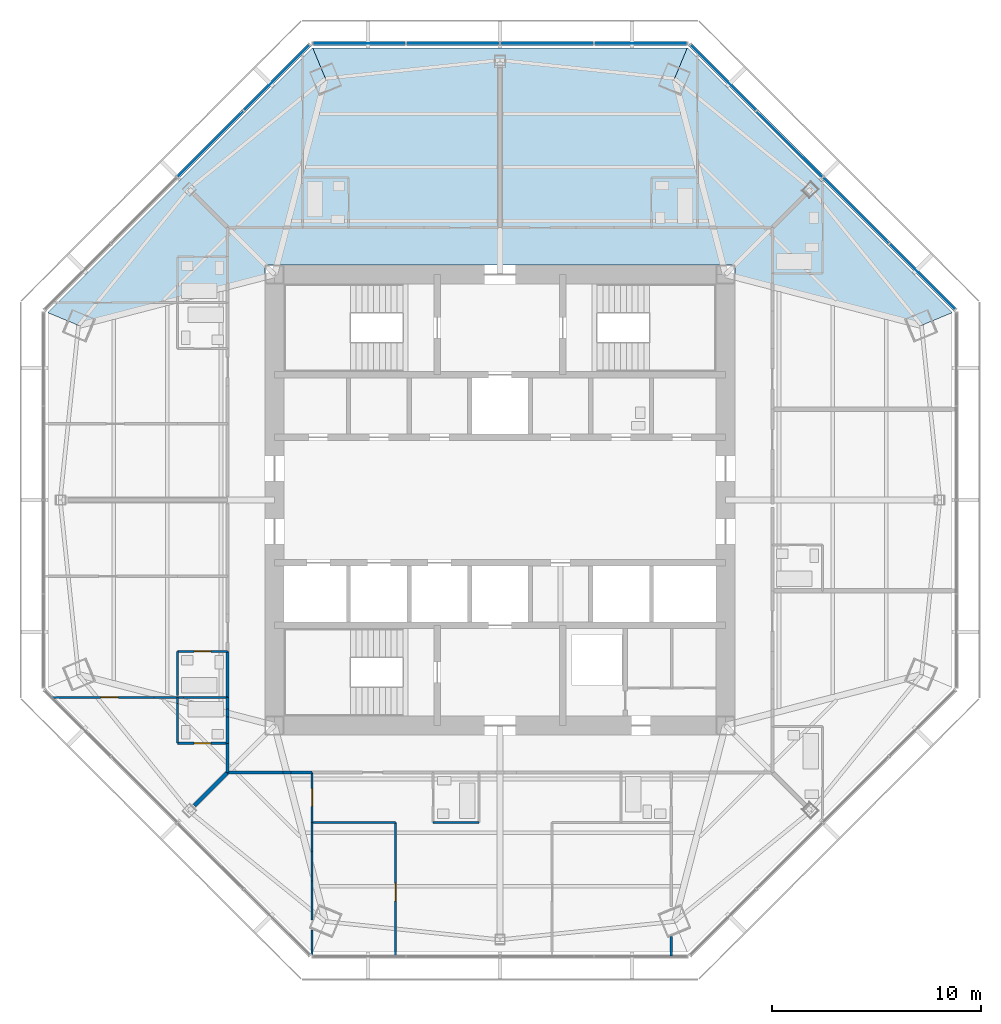
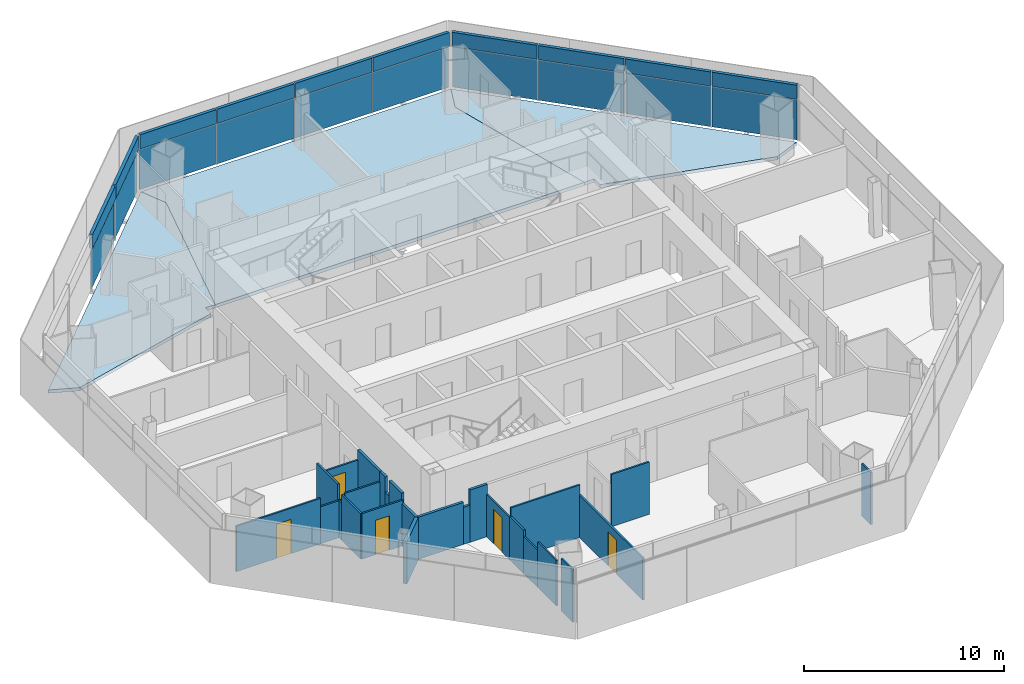
# One storey, part 8 of 16: 26 walls, 20 plates, 5 doors, 3 slabs, 5 openings, 3 elements without a shape of their own.
"""IFC4 building model written with IfcOpenShell, lengths in metres."""

from ifc_helpers import new_model, si_unit, direction, frame, frame_2d, origin, origin_2d, place, context, subcontext, project, spatial, polyline, rectangle, outline, extrude, source, transform, mapped, material, layer, layer_set, type_object, type_shapes, element, fill, aggregate, save


model = new_model("IFC4")

# Units and contexts
model_context = context("Model", 3, precision=1e-05, world=origin(), true_north=direction((0.0, 1.0)))
body_context = subcontext(model_context, "Body", "Model", "MODEL_VIEW")
ifc_project = project(units=[si_unit("LENGTHUNIT", "METRE"), si_unit("AREAUNIT", "SQUARE_METRE"), si_unit("VOLUMEUNIT", "CUBIC_METRE"), si_unit("PLANEANGLEUNIT", "RADIAN"), si_unit("MASSUNIT", "GRAM", prefix="KILO")], contexts=[model_context])

# Site, building, storey
site_placement = place(None, origin())
site = spatial("IfcSite", under=ifc_project, at=site_placement, CompositionType="ELEMENT")
building_placement = place(site_placement, origin())
building = spatial("IfcBuilding", under=site, at=building_placement, Name="Mashrafa Tower", CompositionType="ELEMENT")
storey_placement = place(building_placement, frame((0.0, 0.0, 217.60009765625)))
storey = spatial("IfcBuildingStorey", under=building, at=storey_placement, Name="L50", CompositionType="ELEMENT", Elevation=217.60009765625)

# Slabs
ifc_material_1 = material(Name="Concrete C35/45", Category="concrete")
ifc_layer_1 = layer(ifc_material_1, 0.199951171875)
ifc_layer_set_1 = layer_set([ifc_layer_1], Name="Floor slab 200")
slab_type = type_object("IfcSlabType", Name="Floor slab 200", PredefinedType="FLOOR", material=ifc_layer_set_1)
slab_1_placement = place(storey_placement, frame((0.0, 0.0, -0.2001953125)))
element("IfcSlab", 1, at=slab_1_placement, inside=storey, type_object=slab_type, Name="Floor slab L50 north-east bay", PredefinedType="FLOOR", context=body_context, shape_type="SweptSolid", body=[
    extrude(outline(polyline([(21.6591796875, 8.971435546875), (20.1865234375, 8.361572265625), (11.25, 10.68310546875), (11.25, 11.25), (10.68310546875, 11.25), (8.361572265625, 20.1865234375), (8.971435546875, 21.6591796875), (21.6591796875, 8.971435546875)])), origin(), (0.0, 0.0, 1.0), 0.2001953125),
])
slab_2_placement = place(storey_placement, frame((0.0, 0.0, -0.2001953125)))
element("IfcSlab", 2, at=slab_2_placement, inside=storey, type_object=slab_type, Name="Floor slab L50 north bay", PredefinedType="FLOOR", context=body_context, shape_type="SweptSolid", body=[
    extrude(outline(polyline([(-8.971435546875, 21.6591796875), (8.971435546875, 21.6591796875), (8.971435546875, 21.6591796875), (8.361572265625, 20.1865234375), (10.68310546875, 11.25), (-10.68310546875, 11.25), (-8.361572265625, 20.1865234375), (-8.971435546875, 21.6591796875), (-8.971435546875, 21.6591796875)])), origin(), (0.0, 0.0, 1.0), 0.2001953125),
])
slab_3_placement = place(storey_placement, frame((0.0, 0.0, -0.2001953125)))
element("IfcSlab", 3, at=slab_3_placement, inside=storey, type_object=slab_type, Name="Floor slab L50 north-west bay", PredefinedType="FLOOR", context=body_context, shape_type="SweptSolid", body=[
    extrude(outline(polyline([(-8.971435546875, 21.6591796875), (-8.361572265625, 20.1865234375), (-10.68310546875, 11.25), (-11.25, 11.25), (-11.25, 10.68310546875), (-20.1865234375, 8.361572265625), (-21.6591796875, 8.971435546875), (-8.971435546875, 21.6591796875)])), origin(), (0.0, 0.0, 1.0), 0.2001953125),
])

# Curtain wall, plates
ifc_material_2 = material(Name="Unitised aluminium curtain wall", Category="aluminium")
curtain_wall_type = type_object("IfcCurtainWallType", Name="Apartment curtain wall, zone 3 CW-C 180 deep", PredefinedType="NOTDEFINED", material=ifc_material_2)
curtain_wall_1_placement = place(storey_placement, origin())
curtain_wall_1 = element("IfcCurtainWall", 4, at=curtain_wall_1_placement, inside=storey, type_object=curtain_wall_type, Name="Apartment curtain wall, zone 3 L50 north-east", PredefinedType="NOTDEFINED")
ifc_material_3 = material(Name="Insulated double glazing, acoustic", Category="glass")
ifc_layer_2 = layer(ifc_material_3, 0.028076171875)
ifc_layer_set_2 = layer_set([ifc_layer_2], Name="Vision panel CW-C 28")
plate_type_1 = type_object("IfcPlateType", Name="Vision panel CW-C 28", PredefinedType="CURTAIN_PANEL", material=ifc_layer_set_2)
shared_shape_1 = source(origin(), body_context, "Body", "SweptSolid", [
    extrude(rectangle(XDim=4.41357421875, YDim=0.028076171875, at=origin_2d()), origin(), (0.0, 0.0, 1.0), 2.46240234375),
])
plate_1_placement = place(storey_placement, frame((20.222900390625, 10.690673828125, 0.0), z_axis=(0.0, 0.0, 1.0), x_axis=(-0.707106781187, 0.707106781187, 0.0)))
plate_1 = element("IfcPlate", 5, at=plate_1_placement, type_object=plate_type_1, Name="CW-C vision panel 1", PredefinedType="CURTAIN_PANEL", context=body_context, shape_type="MappedRepresentation", body=[
    mapped(shared_shape_1, transform((0.0, 0.0, 0.0))),
])
plate_2_placement = place(storey_placement, frame((10.690673828125, 20.222900390625, 0.0), z_axis=(0.0, 0.0, 1.0), x_axis=(-0.707106781187, 0.707106781187, 0.0)))
plate_2 = element("IfcPlate", 6, at=plate_2_placement, type_object=plate_type_1, Name="CW-C vision panel 4", PredefinedType="CURTAIN_PANEL", context=body_context, shape_type="MappedRepresentation", body=[
    mapped(shared_shape_1, transform((0.0, 0.0, 0.0))),
])

curtain_wall_2_placement = place(storey_placement, origin())
curtain_wall_2 = element("IfcCurtainWall", 7, at=curtain_wall_2_placement, inside=storey, type_object=curtain_wall_type, Name="Apartment curtain wall, zone 3 L50 north", PredefinedType="NOTDEFINED")
plate_3_placement = place(storey_placement, frame((6.740234375, 21.859130859375, 0.0), z_axis=(0.0, 0.0, 1.0), x_axis=(-1.0, 0.0, 0.0)))
plate_3 = element("IfcPlate", 8, at=plate_3_placement, type_object=plate_type_1, Name="CW-C vision panel 1", PredefinedType="CURTAIN_PANEL", context=body_context, shape_type="MappedRepresentation", body=[
    mapped(shared_shape_1, transform((0.0, 0.0, 0.0))),
])
plate_4_placement = place(storey_placement, frame((-6.740234375, 21.859130859375, 0.0), z_axis=(0.0, 0.0, 1.0), x_axis=(-1.0, 0.0, 0.0)))
plate_4 = element("IfcPlate", 9, at=plate_4_placement, type_object=plate_type_1, Name="CW-C vision panel 4", PredefinedType="CURTAIN_PANEL", context=body_context, shape_type="MappedRepresentation", body=[
    mapped(shared_shape_1, transform((0.0, 0.0, 0.0))),
])

# Curtain wall, plate
curtain_wall_3_placement = place(storey_placement, origin())
curtain_wall_3 = element("IfcCurtainWall", 10, at=curtain_wall_3_placement, inside=storey, type_object=curtain_wall_type, Name="Apartment curtain wall, zone 3 L50 north-west", PredefinedType="NOTDEFINED")
plate_5_placement = place(storey_placement, frame((-10.690673828125, 20.222900390625, 0.0), z_axis=(0.0, 0.0, 1.0), x_axis=(-0.707106781187, -0.707106781187, 0.0)))
plate_5 = element("IfcPlate", 11, at=plate_5_placement, type_object=plate_type_1, Name="CW-C vision panel 1", PredefinedType="CURTAIN_PANEL", context=body_context, shape_type="MappedRepresentation", body=[
    mapped(shared_shape_1, transform((0.0, 0.0, 0.0))),
])

# Plate
ifc_material_4 = material(Name="Insulated bronze aluminium spandrel panel", Category="aluminium")
ifc_layer_3 = layer(ifc_material_4, 0.179931640625)
ifc_layer_set_3 = layer_set([ifc_layer_3], Name="Spandrel panel CW-C 180")
plate_type_2 = type_object("IfcPlateType", Name="Spandrel panel CW-C 180", PredefinedType="CURTAIN_PANEL", material=ifc_layer_set_3)
shared_shape_2 = source(origin(), body_context, "Body", "SweptSolid", [
    extrude(rectangle(XDim=4.41357421875, YDim=0.179931640625, at=origin_2d()), origin(), (0.0, 0.0, 1.0), 0.862548828125),
])
plate_6_placement = place(storey_placement, frame((20.222900390625, 10.690673828125, 2.53759765625), z_axis=(0.0, 0.0, 1.0), x_axis=(-0.707106781187, 0.707106781187, 0.0)))
plate_6 = element("IfcPlate", 12, at=plate_6_placement, type_object=plate_type_2, Name="CW-C spandrel panel 1", PredefinedType="CURTAIN_PANEL", context=body_context, shape_type="MappedRepresentation", body=[
    mapped(shared_shape_2, transform((0.0, 0.0, 0.0))),
])

plate_7_placement = place(storey_placement, frame((10.690673828125, 20.222900390625, 2.53759765625), z_axis=(0.0, 0.0, 1.0), x_axis=(-0.707106781187, 0.707106781187, 0.0)))
plate_7 = element("IfcPlate", 13, at=plate_7_placement, type_object=plate_type_2, Name="CW-C spandrel panel 4", PredefinedType="CURTAIN_PANEL", context=body_context, shape_type="MappedRepresentation", body=[
    mapped(shared_shape_2, transform((0.0, 0.0, 0.0))),
])

plate_8_placement = place(storey_placement, frame((6.740234375, 21.859130859375, 2.53759765625), z_axis=(0.0, 0.0, 1.0), x_axis=(-1.0, 0.0, 0.0)))
plate_8 = element("IfcPlate", 14, at=plate_8_placement, type_object=plate_type_2, Name="CW-C spandrel panel 1", PredefinedType="CURTAIN_PANEL", context=body_context, shape_type="MappedRepresentation", body=[
    mapped(shared_shape_2, transform((0.0, 0.0, 0.0))),
])

plate_9_placement = place(storey_placement, frame((-6.740234375, 21.859130859375, 2.53759765625), z_axis=(0.0, 0.0, 1.0), x_axis=(-1.0, 0.0, 0.0)))
plate_9 = element("IfcPlate", 15, at=plate_9_placement, type_object=plate_type_2, Name="CW-C spandrel panel 4", PredefinedType="CURTAIN_PANEL", context=body_context, shape_type="MappedRepresentation", body=[
    mapped(shared_shape_2, transform((0.0, 0.0, 0.0))),
])

plate_10_placement = place(storey_placement, frame((-10.690673828125, 20.222900390625, 2.53759765625), z_axis=(0.0, 0.0, 1.0), x_axis=(-0.707106781187, -0.707106781187, 0.0)))
plate_10 = element("IfcPlate", 16, at=plate_10_placement, type_object=plate_type_2, Name="CW-C spandrel panel 1", PredefinedType="CURTAIN_PANEL", context=body_context, shape_type="MappedRepresentation", body=[
    mapped(shared_shape_2, transform((0.0, 0.0, 0.0))),
])

shared_shape_3 = source(origin(), body_context, "Body", "SweptSolid", [
    extrude(rectangle(XDim=4.443603515625, YDim=0.028076171875, at=origin_2d()), origin(), (0.0, 0.0, 1.0), 2.46240234375),
])
type_shapes(plate_type_1, [shared_shape_1, shared_shape_3])
plate_11_placement = place(storey_placement, frame((17.049072265625, 13.864501953125, 0.0), z_axis=(0.0, 0.0, 1.0), x_axis=(-0.707106781187, 0.707106781187, 0.0)))
plate_11 = element("IfcPlate", 17, at=plate_11_placement, type_object=plate_type_1, Name="CW-C vision panel 2", PredefinedType="CURTAIN_PANEL", context=body_context, shape_type="MappedRepresentation", body=[
    mapped(shared_shape_3, transform((0.0, 0.0, 0.0))),
])

plate_12_placement = place(storey_placement, frame((13.864501953125, 17.049072265625, 0.0), z_axis=(0.0, 0.0, 1.0), x_axis=(-0.707106781187, 0.707106781187, 0.0)))
plate_12 = element("IfcPlate", 18, at=plate_12_placement, type_object=plate_type_1, Name="CW-C vision panel 3", PredefinedType="CURTAIN_PANEL", context=body_context, shape_type="MappedRepresentation", body=[
    mapped(shared_shape_3, transform((0.0, 0.0, 0.0))),
])

plate_13_placement = place(storey_placement, frame((2.251708984375, 21.859130859375, 0.0), z_axis=(0.0, 0.0, 1.0), x_axis=(-1.0, 0.0, 0.0)))
plate_13 = element("IfcPlate", 19, at=plate_13_placement, type_object=plate_type_1, Name="CW-C vision panel 2", PredefinedType="CURTAIN_PANEL", context=body_context, shape_type="MappedRepresentation", body=[
    mapped(shared_shape_3, transform((0.0, 0.0, 0.0))),
])

plate_14_placement = place(storey_placement, frame((-2.251708984375, 21.859130859375, 0.0), z_axis=(0.0, 0.0, 1.0), x_axis=(-1.0, 0.0, 0.0)))
plate_14 = element("IfcPlate", 20, at=plate_14_placement, type_object=plate_type_1, Name="CW-C vision panel 3", PredefinedType="CURTAIN_PANEL", context=body_context, shape_type="MappedRepresentation", body=[
    mapped(shared_shape_3, transform((0.0, 0.0, 0.0))),
])

plate_15_placement = place(storey_placement, frame((-13.864501953125, 17.049072265625, 0.0), z_axis=(0.0, 0.0, 1.0), x_axis=(-0.707106781187, -0.707106781187, 0.0)))
plate_15 = element("IfcPlate", 21, at=plate_15_placement, type_object=plate_type_1, Name="CW-C vision panel 2", PredefinedType="CURTAIN_PANEL", context=body_context, shape_type="MappedRepresentation", body=[
    mapped(shared_shape_3, transform((0.0, 0.0, 0.0))),
])

shared_shape_4 = source(origin(), body_context, "Body", "SweptSolid", [
    extrude(rectangle(XDim=4.443603515625, YDim=0.179931640625, at=origin_2d()), origin(), (0.0, 0.0, 1.0), 0.862548828125),
])
type_shapes(plate_type_2, [shared_shape_2, shared_shape_4])
plate_16_placement = place(storey_placement, frame((17.049072265625, 13.864501953125, 2.53759765625), z_axis=(0.0, 0.0, 1.0), x_axis=(-0.707106781187, 0.707106781187, 0.0)))
plate_16 = element("IfcPlate", 22, at=plate_16_placement, type_object=plate_type_2, Name="CW-C spandrel panel 2", PredefinedType="CURTAIN_PANEL", context=body_context, shape_type="MappedRepresentation", body=[
    mapped(shared_shape_4, transform((0.0, 0.0, 0.0))),
])

plate_17_placement = place(storey_placement, frame((13.864501953125, 17.049072265625, 2.53759765625), z_axis=(0.0, 0.0, 1.0), x_axis=(-0.707106781187, 0.707106781187, 0.0)))
plate_17 = element("IfcPlate", 23, at=plate_17_placement, type_object=plate_type_2, Name="CW-C spandrel panel 3", PredefinedType="CURTAIN_PANEL", context=body_context, shape_type="MappedRepresentation", body=[
    mapped(shared_shape_4, transform((0.0, 0.0, 0.0))),
])

aggregate(curtain_wall_1, [plate_1, plate_6, plate_11, plate_16, plate_12, plate_17, plate_2, plate_7])

plate_18_placement = place(storey_placement, frame((2.251708984375, 21.859130859375, 2.53759765625), z_axis=(0.0, 0.0, 1.0), x_axis=(-1.0, 0.0, 0.0)))
plate_18 = element("IfcPlate", 24, at=plate_18_placement, type_object=plate_type_2, Name="CW-C spandrel panel 2", PredefinedType="CURTAIN_PANEL", context=body_context, shape_type="MappedRepresentation", body=[
    mapped(shared_shape_4, transform((0.0, 0.0, 0.0))),
])

plate_19_placement = place(storey_placement, frame((-2.251708984375, 21.859130859375, 2.53759765625), z_axis=(0.0, 0.0, 1.0), x_axis=(-1.0, 0.0, 0.0)))
plate_19 = element("IfcPlate", 25, at=plate_19_placement, type_object=plate_type_2, Name="CW-C spandrel panel 3", PredefinedType="CURTAIN_PANEL", context=body_context, shape_type="MappedRepresentation", body=[
    mapped(shared_shape_4, transform((0.0, 0.0, 0.0))),
])

aggregate(curtain_wall_2, [plate_3, plate_8, plate_13, plate_18, plate_14, plate_19, plate_4, plate_9])

plate_20_placement = place(storey_placement, frame((-13.864501953125, 17.049072265625, 2.53759765625), z_axis=(0.0, 0.0, 1.0), x_axis=(-0.707106781187, -0.707106781187, 0.0)))
plate_20 = element("IfcPlate", 26, at=plate_20_placement, type_object=plate_type_2, Name="CW-C spandrel panel 2", PredefinedType="CURTAIN_PANEL", context=body_context, shape_type="MappedRepresentation", body=[
    mapped(shared_shape_4, transform((0.0, 0.0, 0.0))),
])

aggregate(curtain_wall_3, [plate_5, plate_10, plate_15, plate_20])

# Walls
ifc_material_5 = material(Name="Gypsum board on steel studs", Category="steel")
ifc_layer_4 = layer(ifc_material_5, 0.199951171875)
ifc_layer_set_4 = layer_set([ifc_layer_4], Name="Acoustic partition 200 1 hr")
wall_type_1 = type_object("IfcWallType", Name="Acoustic partition 200 1 hr", PredefinedType="PARTITIONING", material=ifc_layer_set_4)
wall_1_placement = place(storey_placement, frame((-14.6328125, -14.6328125, 0.0), z_axis=(0.0, 0.0, 1.0), x_axis=(0.707106781187, 0.707106781187, 0.0)))
element("IfcWall", 27, at=wall_1_placement, inside=storey, type_object=wall_type_1, Name="Acoustic wall L50-105", PredefinedType="PARTITIONING", context=body_context, shape_type="SweptSolid", body=[
    extrude(rectangle(XDim=2.23828125, YDim=0.199951171875, at=frame_2d((1.119140625, 0.0))), origin(), (0.0, 0.0, 1.0), 2.577880859375),
])
ifc_material_6 = material(Name="Gypsum board on steel studs", Category="steel")
ifc_layer_5 = layer(ifc_material_6, 0.14990234375)
ifc_layer_set_5 = layer_set([ifc_layer_5], Name="Corridor partition 150 1 hr")
wall_type_2 = type_object("IfcWallType", Name="Corridor partition 150 1 hr", PredefinedType="PARTITIONING", material=ifc_layer_set_5)
wall_2_placement = place(storey_placement, frame((-13.050048828125, -9.448974609375, 0.0), z_axis=(0.0, 0.0, 1.0), x_axis=(0.0, -1.0, 0.0)))
element("IfcWall", 28, at=wall_2_placement, inside=storey, type_object=wall_type_2, Name="Corridor wall L50-040", PredefinedType="PARTITIONING", context=body_context, shape_type="SweptSolid", body=[
    extrude(rectangle(XDim=0.56201171875, YDim=0.14990234375, at=frame_2d((0.281005859375, 0.0))), origin(), (0.0, 0.0, 1.0), 3.199951171875),
])
wall_3_placement = place(storey_placement, frame((-13.050048828125, -10.388671875, 0.0), z_axis=(0.0, 0.0, 1.0), x_axis=(0.0, -1.0, 0.0)))
element("IfcWall", 29, at=wall_3_placement, inside=storey, type_object=wall_type_2, Name="Corridor wall L50-041", PredefinedType="PARTITIONING", context=body_context, shape_type="SweptSolid", body=[
    extrude(rectangle(XDim=1.26220703125, YDim=0.14990234375, at=frame_2d((0.631103515625, 0.0))), origin(), (0.0, 0.0, 1.0), 3.199951171875),
])
wall_4_placement = place(storey_placement, frame((-13.050048828125, -10.010986328125, 0.0), z_axis=(0.0, 0.0, 1.0), x_axis=(0.0, -1.0, 0.0)))
element("IfcWall", 30, at=wall_4_placement, inside=storey, type_object=wall_type_2, Name="Corridor wall L50-042", PredefinedType="PARTITIONING", context=body_context, shape_type="SweptSolid", body=[
    extrude(rectangle(XDim=0.377685546875, YDim=0.14990234375, at=frame_2d((0.18896484375, 0.0))), origin(), (0.0, 0.0, 1.0), 2.26806640625),
])
wall_5_placement = place(storey_placement, frame((-13.050048828125, -11.64892578125, 0.0), z_axis=(0.0, 0.0, 1.0), x_axis=(0.0, -1.0, 0.0)))
element("IfcWall", 31, at=wall_5_placement, inside=storey, type_object=wall_type_2, Name="Corridor wall L50-043", PredefinedType="PARTITIONING", context=body_context, shape_type="SweptSolid", body=[
    extrude(rectangle(XDim=1.401123046875, YDim=0.14990234375, at=frame_2d((0.70068359375, 0.0))), origin(), (0.0, 0.0, 1.0), 2.577880859375),
])
wall_6_placement = place(storey_placement, frame((-13.050048828125, -7.2490234375, 0.0), z_axis=(0.0, 0.0, 1.0), x_axis=(0.0, -1.0, 0.0)))
element("IfcWall", 32, at=wall_6_placement, inside=storey, type_object=wall_type_2, Name="Corridor wall L50-044", PredefinedType="PARTITIONING", context=body_context, shape_type="SweptSolid", body=[
    extrude(rectangle(XDim=2.201904296875, YDim=0.14990234375, at=frame_2d((1.10107421875, 0.0))), origin(), (0.0, 0.0, 1.0), 3.199951171875),
])
wall_7_placement = place(storey_placement, frame((-13.050048828125, -13.050048828125, 0.0), z_axis=(0.0, 0.0, 1.0), x_axis=(1.0, 0.0, 0.0)))
element("IfcWall", 33, at=wall_7_placement, inside=storey, type_object=wall_type_2, Name="Corridor wall L50-048", PredefinedType="PARTITIONING", context=body_context, shape_type="SweptSolid", body=[
    extrude(rectangle(XDim=2.661376953125, YDim=0.14990234375, at=frame_2d((1.33056640625, 0.0))), origin(), (0.0, 0.0, 1.0), 2.577880859375),
])
wall_8_placement = place(storey_placement, frame((-10.010986328125, -13.050048828125, 0.0), z_axis=(0.0, 0.0, 1.0), x_axis=(1.0, 0.0, 0.0)))
element("IfcWall", 34, at=wall_8_placement, inside=storey, type_object=wall_type_2, Name="Corridor wall L50-049", PredefinedType="PARTITIONING", context=body_context, shape_type="SweptSolid", body=[
    extrude(rectangle(XDim=1.011962890625, YDim=0.14990234375, at=frame_2d((0.505859375, 0.0))), origin(), (0.0, 0.0, 1.0), 3.199951171875),
])
wall_9_placement = place(storey_placement, frame((-10.388671875, -13.050048828125, 0.0), z_axis=(0.0, 0.0, 1.0), x_axis=(1.0, 0.0, 0.0)))
element("IfcWall", 35, at=wall_9_placement, inside=storey, type_object=wall_type_2, Name="Corridor wall L50-050", PredefinedType="PARTITIONING", context=body_context, shape_type="SweptSolid", body=[
    extrude(rectangle(XDim=0.377685546875, YDim=0.14990234375, at=frame_2d((0.18896484375, 0.0))), origin(), (0.0, 0.0, 1.0), 2.26806640625),
])
ifc_material_7 = material(Name="Gypsum board on steel studs", Category="steel")
ifc_layer_6 = layer(ifc_material_7, 0.10009765625)
ifc_layer_set_6 = layer_set([ifc_layer_6], Name="Partition 100")
wall_type_3 = type_object("IfcWallType", Name="Partition 100", PredefinedType="PARTITIONING", material=ifc_layer_set_6)
wall_10_placement = place(storey_placement, frame((-15.449951171875, -9.748291015625, 0.0), z_axis=(0.0, 0.0, 1.0), x_axis=(0.0, -1.0, 0.0)))
element("IfcWall", 36, at=wall_10_placement, inside=storey, type_object=wall_type_3, Name="Partition wall L50-098", PredefinedType="PARTITIONING", context=body_context, shape_type="SweptSolid", body=[
    extrude(rectangle(XDim=1.901611328125, YDim=0.10009765625, at=frame_2d((0.95068359375, 0.0))), origin(), (0.0, 0.0, 1.0), 2.785888671875),
])
wall_11_placement = place(storey_placement, frame((-15.449951171875, -9.449951171875, 0.0), z_axis=(0.0, 0.0, 1.0), x_axis=(0.0, -1.0, 0.0)))
element("IfcWall", 37, at=wall_11_placement, inside=storey, type_object=wall_type_3, Name="Partition wall L50-099", PredefinedType="PARTITIONING", context=body_context, shape_type="SweptSolid", body=[
    extrude(rectangle(XDim=0.29833984375, YDim=0.10009765625, at=frame_2d((0.149169921875, 0.0))), origin(), (0.0, 0.0, 1.0), 2.26806640625),
])

# Wall, opening, door
wall_12_placement = place(storey_placement, frame((-15.449951171875, -11.64990234375, 0.0), z_axis=(0.0, 0.0, 1.0), x_axis=(1.0, 0.0, 0.0)))
wall_12 = element("IfcWall", 38, at=wall_12_placement, inside=storey, type_object=wall_type_3, Name="Partition wall L50-100", PredefinedType="PARTITIONING", context=body_context, shape_type="SweptSolid", body=[
    extrude(rectangle(XDim=2.39990234375, YDim=0.10009765625, at=frame_2d((1.199951171875, 0.0))), origin(), (0.0, 0.0, 1.0), 2.785888671875),
])
opening_1_placement = place(wall_12_placement, frame((0.800048828125, 0.0, 0.0)))
opening_1 = element("IfcOpeningElement", 39, at=opening_1_placement, cuts=wall_12, Name="Opening 50.018", PredefinedType="OPENING", context=body_context, shape_type="SweptSolid", body=[
    extrude(rectangle(XDim=0.800048828125, YDim=2.10009765625, at=frame_2d((0.39990234375, 1.050048828125))), frame((0.0, 0.06005859375, 0.0), z_axis=(0.0, -1.0, 0.0), x_axis=(1.0, 0.0, 0.0)), (0.0, 0.0, 1.0), 0.1201171875),
])
ifc_material_8 = material(Name="Timber door", Category="wood")
door_type_1 = type_object("IfcDoorType", Name="Bathroom door 800 x 2100", OperationType="USERDEFINED", PredefinedType="DOOR", material=ifc_material_8)
door_1_placement = place(opening_1_placement, origin())
door_1 = element("IfcDoor", 40, at=door_1_placement, inside=storey, type_object=door_type_1, Name="Apartment 5007 En-suite Bathroom door", OperationType="SINGLE_SWING_RIGHT", OverallHeight=2.10009765625, OverallWidth=0.800048828125, PredefinedType="DOOR", context=body_context, shape_type="SweptSolid", body=[
    extrude(rectangle(XDim=0.800048828125, YDim=2.10009765625, at=frame_2d((0.39990234375, 1.050048828125))), frame((0.0, 0.02490234375, 0.0), z_axis=(0.0, -1.0, 0.0), x_axis=(1.0, 0.0, 0.0)), (0.0, 0.0, 1.0), 0.050048828125),
])
fill(opening_1, door_1)

# Walls
wall_13_placement = place(storey_placement, frame((-13.050048828125, -9.449951171875, 0.0), z_axis=(0.0, 0.0, 1.0), x_axis=(-1.0, 0.0, 0.0)))
element("IfcWall", 41, at=wall_13_placement, inside=storey, type_object=wall_type_3, Name="Partition wall L50-101", PredefinedType="PARTITIONING", context=body_context, shape_type="SweptSolid", body=[
    extrude(rectangle(XDim=2.10302734375, YDim=0.10009765625, at=frame_2d((1.051513671875, 0.0))), origin(), (0.0, 0.0, 1.0), 2.590576171875),
])
wall_14_placement = place(storey_placement, frame((-15.153076171875, -9.449951171875, 0.0), z_axis=(0.0, 0.0, 1.0), x_axis=(-1.0, 0.0, 0.0)))
element("IfcWall", 42, at=wall_14_placement, inside=storey, type_object=wall_type_3, Name="Partition wall L50-102", PredefinedType="PARTITIONING", context=body_context, shape_type="SweptSolid", body=[
    extrude(rectangle(XDim=1.415283203125, YDim=0.10009765625, at=frame_2d((0.70751953125, 0.0))), origin(), (0.0, 0.0, 1.0), 2.26806640625),
])

# Wall, opening, door
wall_15_placement = place(storey_placement, frame((-16.568359375, -9.449951171875, 0.0), z_axis=(0.0, 0.0, 1.0), x_axis=(-1.0, 0.0, 0.0)))
wall_15 = element("IfcWall", 43, at=wall_15_placement, inside=storey, type_object=wall_type_3, Name="Partition wall L50-103", PredefinedType="PARTITIONING", context=body_context, shape_type="SweptSolid", body=[
    extrude(rectangle(XDim=4.873291015625, YDim=0.10009765625, at=frame_2d((2.4365234375, 0.0))), origin(), (0.0, 0.0, 1.0), 2.783447265625),
])
opening_2_placement = place(wall_15_placement, frame((1.704345703125, 0.0, 0.0)))
opening_2 = element("IfcOpeningElement", 44, at=opening_2_placement, cuts=wall_15, Name="Opening 50.019", PredefinedType="OPENING", context=body_context, shape_type="SweptSolid", body=[
    extrude(rectangle(XDim=0.85009765625, YDim=2.10009765625, at=frame_2d((0.425048828125, 1.050048828125))), frame((0.0, 0.06005859375, 0.0), z_axis=(0.0, -1.0, 0.0), x_axis=(1.0, 0.0, 0.0)), (0.0, 0.0, 1.0), 0.1201171875),
])
ifc_material_9 = material(Name="Timber door", Category="wood")
door_type_2 = type_object("IfcDoorType", Name="Bedroom door 850 x 2100", OperationType="USERDEFINED", PredefinedType="DOOR", material=ifc_material_9)
door_2_placement = place(opening_2_placement, origin())
door_2 = element("IfcDoor", 45, at=door_2_placement, inside=storey, type_object=door_type_2, Name="Apartment 5007 Bedroom 1 door", OperationType="SINGLE_SWING_RIGHT", OverallHeight=2.10009765625, OverallWidth=0.85009765625, PredefinedType="DOOR", context=body_context, shape_type="SweptSolid", body=[
    extrude(rectangle(XDim=0.85009765625, YDim=2.10009765625, at=frame_2d((0.425048828125, 1.050048828125))), frame((0.0, 0.02490234375, 0.0), z_axis=(0.0, -1.0, 0.0), x_axis=(1.0, 0.0, 0.0)), (0.0, 0.0, 1.0), 0.050048828125),
])
fill(opening_2, door_2)

wall_16_placement = place(storey_placement, frame((-13.050048828125, -7.25, 0.0), z_axis=(0.0, 0.0, 1.0), x_axis=(-1.0, 0.0, 0.0)))
wall_16 = element("IfcWall", 46, at=wall_16_placement, inside=storey, type_object=wall_type_3, Name="Partition wall L50-106", PredefinedType="PARTITIONING", context=body_context, shape_type="SweptSolid", body=[
    extrude(rectangle(XDim=2.39990234375, YDim=0.10009765625, at=frame_2d((1.199951171875, 0.0))), origin(), (0.0, 0.0, 1.0), 2.590576171875),
])
opening_3_placement = place(wall_16_placement, frame((0.800048828125, 0.0, 0.0)))
opening_3 = element("IfcOpeningElement", 47, at=opening_3_placement, cuts=wall_16, Name="Opening 50.020", PredefinedType="OPENING", context=body_context, shape_type="SweptSolid", body=[
    extrude(rectangle(XDim=0.800048828125, YDim=2.10009765625, at=frame_2d((0.39990234375, 1.050048828125))), frame((0.0, 0.06005859375, 0.0), z_axis=(0.0, -1.0, 0.0), x_axis=(1.0, 0.0, 0.0)), (0.0, 0.0, 1.0), 0.1201171875),
])
door_3_placement = place(opening_3_placement, origin())
door_3 = element("IfcDoor", 48, at=door_3_placement, inside=storey, type_object=door_type_1, Name="Apartment 5007 Bathroom door", OperationType="SINGLE_SWING_LEFT", OverallHeight=2.10009765625, OverallWidth=0.800048828125, PredefinedType="DOOR", context=body_context, shape_type="SweptSolid", body=[
    extrude(rectangle(XDim=0.800048828125, YDim=2.10009765625, at=frame_2d((0.39990234375, 1.050048828125))), frame((0.0, 0.02490234375, 0.0), z_axis=(0.0, -1.0, 0.0), x_axis=(1.0, 0.0, 0.0)), (0.0, 0.0, 1.0), 0.050048828125),
])
fill(opening_3, door_3)

# Walls
wall_17_placement = place(storey_placement, frame((-15.449951171875, -7.25, 0.0), z_axis=(0.0, 0.0, 1.0), x_axis=(0.0, -1.0, 0.0)))
element("IfcWall", 49, at=wall_17_placement, inside=storey, type_object=wall_type_3, Name="Partition wall L50-107", PredefinedType="PARTITIONING", context=body_context, shape_type="SweptSolid", body=[
    extrude(rectangle(XDim=2.120849609375, YDim=0.10009765625, at=frame_2d((1.060546875, 0.0))), origin(), (0.0, 0.0, 1.0), 3.199951171875),
])
wall_18_placement = place(storey_placement, frame((-9.0, -21.76416015625, 0.0), z_axis=(0.0, 0.0, 1.0), x_axis=(0.0, 1.0, 0.0)))
element("IfcWall", 50, at=wall_18_placement, inside=storey, type_object=wall_type_3, Name="Partition wall L50-110", PredefinedType="PARTITIONING", context=body_context, shape_type="SweptSolid", body=[
    extrude(rectangle(XDim=1.178466796875, YDim=0.10009765625, at=frame_2d((0.58935546875, 0.0))), origin(), (0.0, 0.0, 1.0), 3.199951171875),
])
wall_19_placement = place(storey_placement, frame((-9.0, -20.1103515625, 0.0), z_axis=(0.0, 0.0, 1.0), x_axis=(0.0, 1.0, 0.0)))
element("IfcWall", 51, at=wall_19_placement, inside=storey, type_object=wall_type_3, Name="Partition wall L50-111", PredefinedType="PARTITIONING", context=body_context, shape_type="SweptSolid", body=[
    extrude(rectangle(XDim=1.85498046875, YDim=0.10009765625, at=frame_2d((0.927490234375, 0.0))), origin(), (0.0, 0.0, 1.0), 2.783447265625),
])
wall_20_placement = place(storey_placement, frame((-9.0, -16.840087890625, 0.0), z_axis=(0.0, 0.0, 1.0), x_axis=(0.0, 1.0, 0.0)))
element("IfcWall", 52, at=wall_20_placement, inside=storey, type_object=wall_type_3, Name="Partition wall L50-112", PredefinedType="PARTITIONING", context=body_context, shape_type="SweptSolid", body=[
    extrude(rectangle(XDim=1.39111328125, YDim=0.10009765625, at=frame_2d((0.695556640625, 0.0))), origin(), (0.0, 0.0, 1.0), 2.6640625),
])
wall_21_placement = place(storey_placement, frame((-9.0, -18.25537109375, 0.0), z_axis=(0.0, 0.0, 1.0), x_axis=(0.0, 1.0, 0.0)))
element("IfcWall", 53, at=wall_21_placement, inside=storey, type_object=wall_type_3, Name="Partition wall L50-113", PredefinedType="PARTITIONING", context=body_context, shape_type="SweptSolid", body=[
    extrude(rectangle(XDim=1.415283203125, YDim=0.10009765625, at=frame_2d((0.70751953125, 0.0))), origin(), (0.0, 0.0, 1.0), 2.26806640625),
])

# Wall, opening, door
wall_22_placement = place(storey_placement, frame((-9.0, -15.450927734375, 0.0), z_axis=(0.0, 0.0, 1.0), x_axis=(0.0, 1.0, 0.0)))
wall_22 = element("IfcWall", 54, at=wall_22_placement, inside=storey, type_object=wall_type_3, Name="Partition wall L50-114", PredefinedType="PARTITIONING", context=body_context, shape_type="SweptSolid", body=[
    extrude(rectangle(XDim=2.40087890625, YDim=0.10009765625, at=frame_2d((1.200439453125, 0.0))), origin(), (0.0, 0.0, 1.0), 2.590576171875),
])
opening_4_placement = place(wall_22_placement, frame((0.775390625, 0.0, 0.0)))
opening_4 = element("IfcOpeningElement", 55, at=opening_4_placement, cuts=wall_22, Name="Opening 50.023", PredefinedType="OPENING", context=body_context, shape_type="SweptSolid", body=[
    extrude(rectangle(XDim=0.85009765625, YDim=2.10009765625, at=frame_2d((0.425048828125, 1.050048828125))), frame((0.0, 0.06005859375, 0.0), z_axis=(0.0, -1.0, 0.0), x_axis=(1.0, 0.0, 0.0)), (0.0, 0.0, 1.0), 0.1201171875),
])
door_4_placement = place(opening_4_placement, origin())
door_4 = element("IfcDoor", 56, at=door_4_placement, inside=storey, type_object=door_type_2, Name="Apartment 5008 Bedroom 1 door", OperationType="SINGLE_SWING_RIGHT", OverallHeight=2.10009765625, OverallWidth=0.85009765625, PredefinedType="DOOR", context=body_context, shape_type="SweptSolid", body=[
    extrude(rectangle(XDim=0.85009765625, YDim=2.10009765625, at=frame_2d((0.425048828125, 1.050048828125))), frame((0.0, 0.02490234375, 0.0), z_axis=(0.0, -1.0, 0.0), x_axis=(1.0, 0.0, 0.0)), (0.0, 0.0, 1.0), 0.050048828125),
])
fill(opening_4, door_4)

wall_23_placement = place(storey_placement, frame((-5.0, -21.843017578125, 0.0), z_axis=(0.0, 0.0, 1.0), x_axis=(0.0, 1.0, 0.0)))
wall_23 = element("IfcWall", 57, at=wall_23_placement, inside=storey, type_object=wall_type_3, Name="Partition wall L50-115", PredefinedType="PARTITIONING", context=body_context, shape_type="SweptSolid", body=[
    extrude(rectangle(XDim=6.39306640625, YDim=0.10009765625, at=frame_2d((3.196533203125, 0.0))), origin(), (0.0, 0.0, 1.0), 2.590576171875),
])
opening_5_placement = place(wall_23_placement, frame((2.633544921875, 0.0, 0.0)))
opening_5 = element("IfcOpeningElement", 58, at=opening_5_placement, cuts=wall_23, Name="Opening 50.024", PredefinedType="OPENING", context=body_context, shape_type="SweptSolid", body=[
    extrude(rectangle(XDim=0.85009765625, YDim=2.10009765625, at=frame_2d((0.425048828125, 1.050048828125))), frame((0.0, 0.06005859375, 0.0), z_axis=(0.0, -1.0, 0.0), x_axis=(1.0, 0.0, 0.0)), (0.0, 0.0, 1.0), 0.1201171875),
])
door_5_placement = place(opening_5_placement, origin())
door_5 = element("IfcDoor", 59, at=door_5_placement, inside=storey, type_object=door_type_2, Name="Apartment 5008 Bedroom 2 door", OperationType="SINGLE_SWING_LEFT", OverallHeight=2.10009765625, OverallWidth=0.85009765625, PredefinedType="DOOR", context=body_context, shape_type="SweptSolid", body=[
    extrude(rectangle(XDim=0.85009765625, YDim=2.10009765625, at=frame_2d((0.425048828125, 1.050048828125))), frame((0.0, 0.02490234375, 0.0), z_axis=(0.0, -1.0, 0.0), x_axis=(1.0, 0.0, 0.0)), (0.0, 0.0, 1.0), 0.050048828125),
])
fill(opening_5, door_5)

# Walls
wall_24_placement = place(storey_placement, frame((-5.0, -15.449951171875, 0.0), z_axis=(0.0, 0.0, 1.0), x_axis=(-1.0, 0.0, 0.0)))
element("IfcWall", 60, at=wall_24_placement, inside=storey, type_object=wall_type_3, Name="Partition wall L50-116", PredefinedType="PARTITIONING", context=body_context, shape_type="SweptSolid", body=[
    extrude(rectangle(XDim=4.0, YDim=0.10009765625, at=frame_2d((2.0, 0.0))), origin(), (0.0, 0.0, 1.0), 3.199951171875),
])
wall_25_placement = place(storey_placement, frame((-3.199951171875, -15.449951171875, 0.0), z_axis=(0.0, 0.0, 1.0), x_axis=(1.0, 0.0, 0.0)))
element("IfcWall", 61, at=wall_25_placement, inside=storey, type_object=wall_type_3, Name="Partition wall L50-119", PredefinedType="PARTITIONING", context=body_context, shape_type="SweptSolid", body=[
    extrude(rectangle(XDim=2.199951171875, YDim=0.10009765625, at=frame_2d((1.10009765625, 0.0))), origin(), (0.0, 0.0, 1.0), 3.199951171875),
])
wall_26_placement = place(storey_placement, frame((8.199951171875, -20.917236328125, 0.0), z_axis=(0.0, 0.0, 1.0), x_axis=(0.0, -1.0, 0.0)))
element("IfcWall", 62, at=wall_26_placement, inside=storey, type_object=wall_type_3, Name="Partition wall L50-124", PredefinedType="PARTITIONING", context=body_context, shape_type="SweptSolid", body=[
    extrude(rectangle(XDim=0.923828125, YDim=0.10009765625, at=frame_2d((0.4619140625, 0.0))), origin(), (0.0, 0.0, 1.0), 3.199951171875),
])

save(model, "model.ifc")
